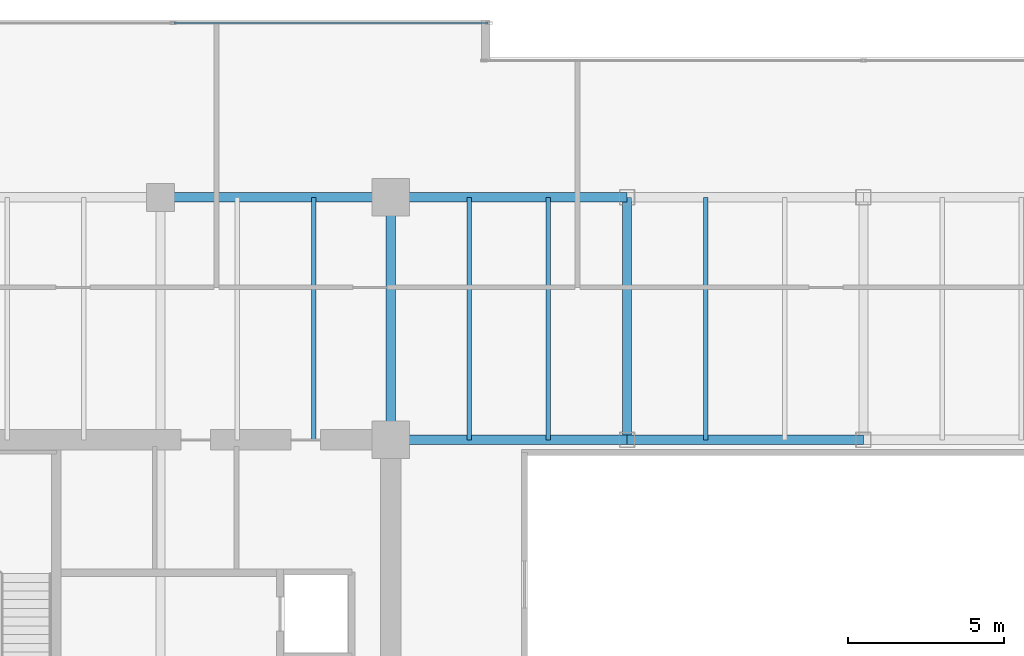
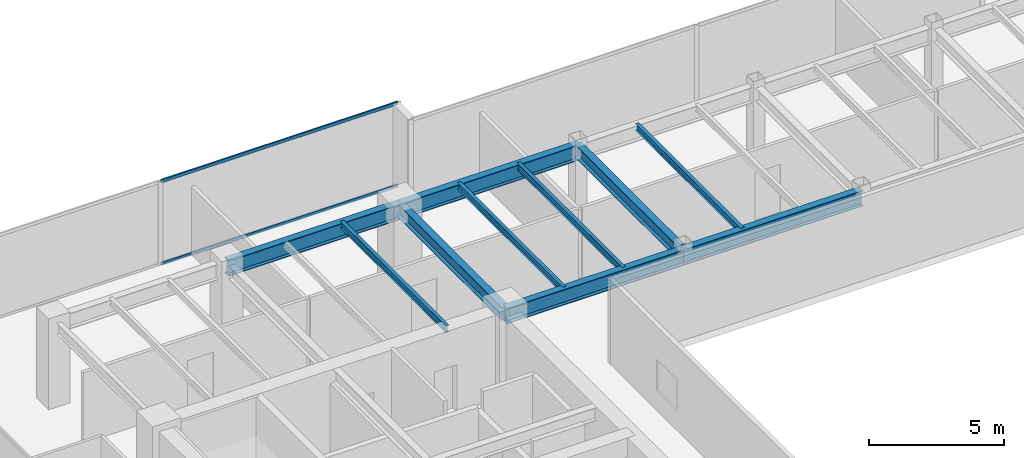
# One storey, part 15 of 31: 10 beams, 2 members, 1 element without a shape of its own.
"""IFC4 building model written with IfcOpenShell, lengths in metres."""

from ifc_helpers import new_model, si_unit, direction, frame, origin, origin_2d, place, context, subcontext, project, spatial, hollow_rectangle, i_section, extrude, source, transform, mapped, material, layer, layer_set, material_profile, profile_set, type_object, type_shapes, element, aggregate, save


model = new_model("IFC4")

# Units and contexts
model_context = context("Model", 3, precision=1e-05, world=origin(), true_north=direction((0.0, 1.0)))
body_context = subcontext(model_context, "Body", "Model", "MODEL_VIEW")
ifc_project = project(units=[si_unit("LENGTHUNIT", "METRE"), si_unit("AREAUNIT", "SQUARE_METRE"), si_unit("VOLUMEUNIT", "CUBIC_METRE"), si_unit("PLANEANGLEUNIT", "RADIAN"), si_unit("MASSUNIT", "GRAM", prefix="KILO")], contexts=[model_context])

# Site, building, storey
site_placement = place(None, origin())
site = spatial("IfcSite", under=ifc_project, at=site_placement, CompositionType="ELEMENT")
building_placement = place(site_placement, origin())
building = spatial("IfcBuilding", under=site, at=building_placement, Name="Haelvirn Gate Laboratories", CompositionType="ELEMENT")
storey_placement = place(building_placement, frame((0.0, 0.0, 174.800048828125)))
storey = spatial("IfcBuildingStorey", under=building, at=storey_placement, Name="L42", CompositionType="ELEMENT", Elevation=174.800048828125)

# Beams
ifc_material_1 = material(Name="Steel SM355", Category="steel")
ifc_material_profile_1 = material_profile(ifc_material_1, i_section(OverallWidth=0.300048828125, OverallDepth=0.699951171875, WebThickness=0.012939453125, FlangeThickness=0.02392578125, at=origin_2d()), Name="H-700x300x13x24")
ifc_profile_set_1 = profile_set([ifc_material_profile_1], Name="Steel SM355")
beam_type_1 = type_object("IfcBeamType", Name="BM-G-700", PredefinedType="BEAM", material=ifc_profile_set_1)
shared_shape_1 = source(origin(), body_context, "Body", "SweptSolid", [
    extrude(i_section(OverallWidth=0.300048828125, OverallDepth=0.699951171875, WebThickness=0.012939453125, FlangeThickness=0.02392578125, at=origin_2d()), origin(), (0.0, 0.0, 1.0), 7.39990234375),
])
beam_1_placement = place(storey_placement, frame((14.800048828125, 41.60009765625, 3.43994140625), z_axis=(1.0, 0.0, 0.0), x_axis=(0.0, 1.0, 0.0)))
element("IfcBeam", 1, at=beam_1_placement, inside=storey, type_object=beam_type_1, Name="L42 Primary Girder Y41.6 (14.8-22.2)", PredefinedType="BEAM", context=body_context, shape_type="MappedRepresentation", body=[
    mapped(shared_shape_1, transform((0.0, 0.0, 0.0), scale=1.0)),
])
shared_shape_2 = source(origin(), body_context, "Body", "SweptSolid", [
    extrude(i_section(OverallWidth=0.300048828125, OverallDepth=0.699951171875, WebThickness=0.012939453125, FlangeThickness=0.02392578125, at=origin_2d()), origin(), (0.0, 0.0, 1.0), 7.60009765625),
])
for number, where, z_axis, x_axis, name in (
    (2, (22.199951171875, 33.800048828125, 3.43994140625), (1.0, 0.0, 0.0), (0.0, 1.0, 0.0), "L42 Primary Girder Y33.8 (22.2-29.8)"),
    (3, (22.199951171875, 41.60009765625, 3.43994140625), (1.0, 0.0, 0.0), (0.0, 1.0, 0.0), "L42 Primary Girder Y41.6 (22.2-29.8)"),
):
    element("IfcBeam", number, at=place(storey_placement, frame(where, z_axis=z_axis, x_axis=x_axis)), inside=storey, type_object=beam_type_1, Name=name, PredefinedType="BEAM", context=body_context, shape_type="MappedRepresentation", body=[
        mapped(shared_shape_2, transform((0.0, 0.0, 0.0), scale=1.0)),
    ])
shared_shape_3 = source(origin(), body_context, "Body", "SweptSolid", [
    extrude(i_section(OverallWidth=0.300048828125, OverallDepth=0.699951171875, WebThickness=0.012939453125, FlangeThickness=0.02392578125, at=origin_2d()), origin(), (0.0, 0.0, 1.0), 7.599853515625),
])
type_shapes(beam_type_1, [shared_shape_1, shared_shape_2, shared_shape_3])
beam_2_placement = place(storey_placement, frame((29.800048828125, 33.800048828125, 3.43994140625), z_axis=(1.0, 0.0, 0.0), x_axis=(0.0, 1.0, 0.0)))
element("IfcBeam", 4, at=beam_2_placement, inside=storey, type_object=beam_type_1, Name="L42 Primary Girder Y33.8 (29.8-37.4)", PredefinedType="BEAM", context=body_context, shape_type="MappedRepresentation", body=[
    mapped(shared_shape_3, transform((0.0, 0.0, 0.0), scale=1.0)),
])
ifc_material_profile_2 = material_profile(ifc_material_1, i_section(OverallWidth=0.14990234375, OverallDepth=0.300048828125, WebThickness=0.006591796875, FlangeThickness=0.009033203125, at=origin_2d()), Name="H-300x150x6.5x9")
ifc_profile_set_2 = profile_set([ifc_material_profile_2], Name="Steel SM355")
beam_type_2 = type_object("IfcBeamType", Name="BM-J-300", PredefinedType="JOIST", material=ifc_profile_set_2)
shared_shape_4 = source(origin(), body_context, "Body", "SweptSolid", [
    extrude(i_section(OverallWidth=0.14990234375, OverallDepth=0.300048828125, WebThickness=0.006591796875, FlangeThickness=0.009033203125, at=origin_2d()), origin(), (0.0, 0.0, 1.0), 7.800048828125),
])
type_shapes(beam_type_2, [shared_shape_4])
for number, where, z_axis, x_axis, name in (
    (5, (19.72998046875, 33.800048828125, 3.639892578125), (0.0, 1.0, 0.0), (-1.0, 0.0, 0.0), "L42 Composite Lab Joist North X19.73"),
    (6, (24.72998046875, 33.800048828125, 3.639892578125), (0.0, 1.0, 0.0), (-1.0, 0.0, 0.0), "L42 Composite Lab Joist North X24.73"),
    (7, (27.27001953125, 33.800048828125, 3.639892578125), (0.0, 1.0, 0.0), (-1.0, 0.0, 0.0), "L42 Composite Lab Joist North X27.27"),
    (8, (32.330078125, 33.800048828125, 3.639892578125), (0.0, 1.0, 0.0), (-1.0, 0.0, 0.0), "L42 Composite Lab Joist North X32.33"),
):
    element("IfcBeam", number, at=place(storey_placement, frame(where, z_axis=z_axis, x_axis=x_axis)), inside=storey, type_object=beam_type_2, Name=name, PredefinedType="JOIST", context=body_context, shape_type="MappedRepresentation", body=[
        mapped(shared_shape_4, transform((0.0, 0.0, 0.0), scale=1.0)),
    ])
ifc_material_profile_3 = material_profile(ifc_material_1, i_section(OverallWidth=0.300048828125, OverallDepth=0.587890625, WebThickness=0.011962890625, FlangeThickness=0.02001953125, at=origin_2d()), Name="H-588x300x12x20")
ifc_profile_set_3 = profile_set([ifc_material_profile_3], Name="Steel SM355")
beam_type_3 = type_object("IfcBeamType", Name="BM-G-588", PredefinedType="BEAM", material=ifc_profile_set_3)
shared_shape_5 = source(origin(), body_context, "Body", "SweptSolid", [
    extrude(i_section(OverallWidth=0.300048828125, OverallDepth=0.587890625, WebThickness=0.011962890625, FlangeThickness=0.02001953125, at=origin_2d()), origin(), (0.0, 0.0, 1.0), 7.800048828125),
])
type_shapes(beam_type_3, [shared_shape_5])
for number, where, z_axis, x_axis, name in (
    (9, (22.199951171875, 33.800048828125, 3.495849609375), (0.0, 1.0, 0.0), (-1.0, 0.0, 0.0), "L42 Frame Girder X22.2 (33.8-41.6)"),
    (10, (29.800048828125, 33.800048828125, 3.495849609375), (0.0, 1.0, 0.0), (-1.0, 0.0, 0.0), "L42 Frame Girder X29.8 (33.8-41.6)"),
):
    element("IfcBeam", number, at=place(storey_placement, frame(where, z_axis=z_axis, x_axis=x_axis)), inside=storey, type_object=beam_type_3, Name=name, PredefinedType="BEAM", context=body_context, shape_type="MappedRepresentation", body=[
        mapped(shared_shape_5, transform((0.0, 0.0, 0.0), scale=1.0)),
    ])

# Curtain wall, members
ifc_material_2 = material(Name="Anodised bronze unitised aluminium & triple low-E glass", Category="aluminium")
ifc_layer = layer(ifc_material_2, 0.179931640625, Name="CW-SYS-3")
ifc_layer_set = layer_set([ifc_layer], Name="Anodised bronze unitised aluminium & triple low-E glass")
curtain_wall_type = type_object("IfcCurtainWallType", Name="CW-SYS-3", PredefinedType="NOTDEFINED", material=ifc_layer_set)
curtain_wall_placement = place(storey_placement, origin())
curtain_wall = element("IfcCurtainWall", 11, at=curtain_wall_placement, inside=storey, type_object=curtain_wall_type, Name="L42 Unitised Curtain Wall CW-L42-P0-E14-1", PredefinedType="NOTDEFINED")
ifc_material_3 = material(Name="Extruded aluminium 6063-T6 (anodised bronze)", Category="aluminium")
ifc_material_profile_4 = material_profile(ifc_material_3, hollow_rectangle(XDim=0.06494140625, YDim=0.139892578125, WallThickness=0.00390625, at=origin_2d()), Name="CWT-140x65x4")
ifc_profile_set_4 = profile_set([ifc_material_profile_4], Name="Extruded aluminium 6063-T6 (anodised bronze)")
member_type = type_object("IfcMemberType", Name="CWT-T140", PredefinedType="USERDEFINED", material=ifc_profile_set_4)
shared_shape_6 = source(origin(), body_context, "Body", "SweptSolid", [
    extrude(hollow_rectangle(XDim=0.06494140625, YDim=0.139892578125, WallThickness=0.00390625, at=origin_2d()), origin(), (0.0, 0.0, 1.0), 10.08740234375),
])
type_shapes(member_type, [shared_shape_6])
member_1_placement = place(storey_placement, frame((15.237548828125, 47.199951171875, 0.032470703125), z_axis=(1.0, 0.0, 0.0), x_axis=(0.0, 1.0, 0.0)))
member_1 = element("IfcMember", 12, at=member_1_placement, type_object=member_type, Name="CW3 transom 2.1", ObjectType="TRANSOM", PredefinedType="USERDEFINED", context=body_context, shape_type="MappedRepresentation", body=[
    mapped(shared_shape_6, transform((0.0, 0.0, 0.0), scale=1.0)),
])
member_2_placement = place(storey_placement, frame((15.237548828125, 47.199951171875, 3.757568359375), z_axis=(1.0, 0.0, 0.0), x_axis=(0.0, 1.0, 0.0)))
member_2 = element("IfcMember", 13, at=member_2_placement, type_object=member_type, Name="CW3 transom 2.2", ObjectType="TRANSOM", PredefinedType="USERDEFINED", context=body_context, shape_type="MappedRepresentation", body=[
    mapped(shared_shape_6, transform((0.0, 0.0, 0.0), scale=1.0)),
])
aggregate(curtain_wall, [member_1, member_2])

save(model, "model.ifc")
